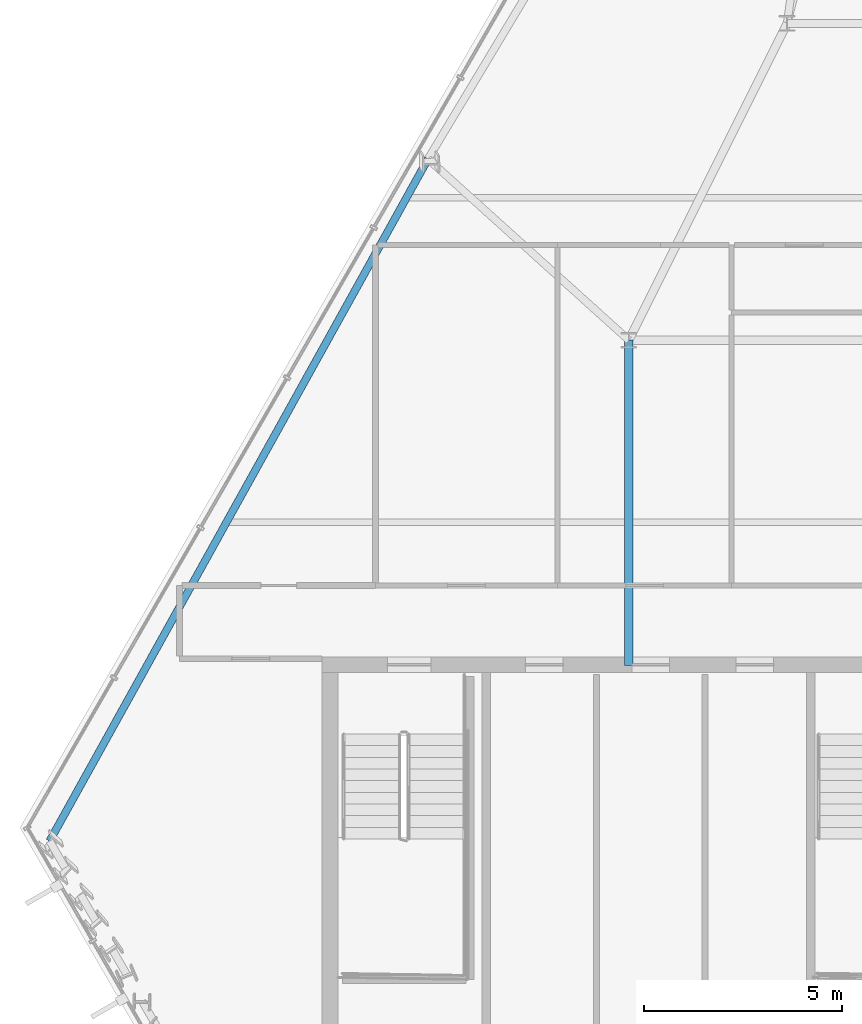
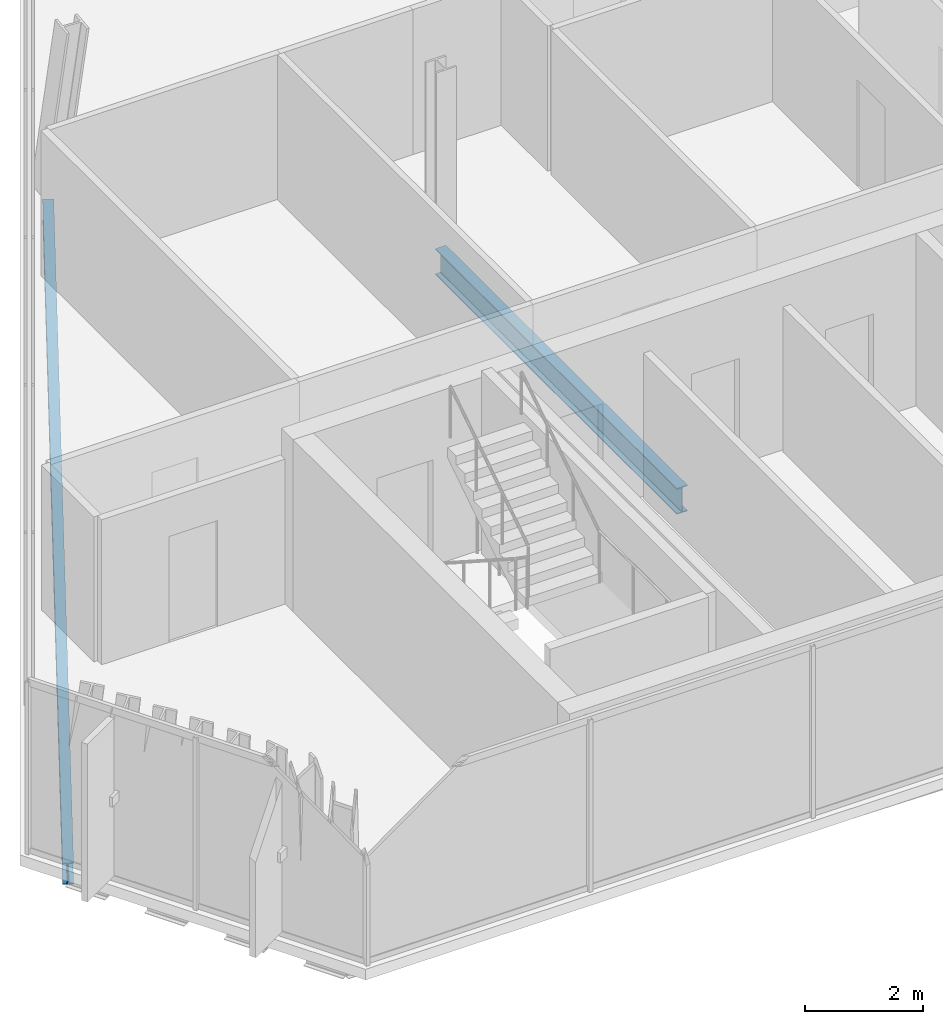
# One storey, part 5 of 29: 2 beams.
"""IFC4 building model written with IfcOpenShell, lengths in metres."""

from ifc_helpers import new_model, si_unit, direction, frame, origin, origin_2d, place, context, subcontext, project, spatial, i_section, extrude, material, material_profile, profile_set, type_object, element, save


model = new_model("IFC4")

# Units and contexts
model_context = context("Model", 3, precision=1e-05, world=origin(), true_north=direction((0.0, 1.0)))
body_context = subcontext(model_context, "Body", "Model", "MODEL_VIEW")
ifc_project = project(units=[si_unit("LENGTHUNIT", "METRE"), si_unit("AREAUNIT", "SQUARE_METRE"), si_unit("VOLUMEUNIT", "CUBIC_METRE"), si_unit("PLANEANGLEUNIT", "RADIAN"), si_unit("MASSUNIT", "GRAM", prefix="KILO")], contexts=[model_context])

# Site, building, storey
site_placement = place(None, origin())
site = spatial("IfcSite", under=ifc_project, at=site_placement, CompositionType="ELEMENT")
building_placement = place(site_placement, origin())
building = spatial("IfcBuilding", under=site, at=building_placement, Name="Ndaravel Arena Tower", CompositionType="ELEMENT")
storey_placement = place(building_placement, frame((0.0, 0.0, 248.39990234375)))
storey = spatial("IfcBuildingStorey", under=building, at=storey_placement, Name="L60", CompositionType="ELEMENT", Elevation=248.39990234375)

# Beams
ifc_material_1 = material(Name="Steel S355", Category="steel")
ifc_material_profile_1 = material_profile(ifc_material_1, i_section(OverallWidth=0.210693359375, OverallDepth=0.53955078125, WebThickness=0.01171875, FlangeThickness=0.018798828125, FilletRadius=0.0126953125, at=origin_2d()), Name="UB 533x210x109")
ifc_profile_set_1 = profile_set([ifc_material_profile_1], Name="Steel S355")
beam_type_1 = type_object("IfcBeamType", Name="BM-GIRD-UB533", PredefinedType="BEAM", material=ifc_profile_set_1)
beam_1_placement = place(storey_placement, frame((34.199951171875, 14.97998046875, -0.489501953125), z_axis=(0.0, 1.0, 0.0), x_axis=(-1.0, 0.0, 0.0)))
element("IfcBeam", 1, at=beam_1_placement, inside=storey, type_object=beam_type_1, Name="L60 Spine Link Girder SLG-01", PredefinedType="BEAM", context=body_context, shape_type="SweptSolid", body=[
    extrude(i_section(OverallWidth=0.210693359375, OverallDepth=0.53955078125, WebThickness=0.01171875, FlangeThickness=0.018798828125, FilletRadius=0.0126953125, at=origin_2d()), origin(), (0.0, 0.0, 1.0), 8.219970703125),
])
ifc_material_2 = material(Name="Steel S355", Category="steel")
ifc_material_profile_2 = material_profile(ifc_material_2, i_section(OverallWidth=0.18994140625, OverallDepth=0.449951171875, WebThickness=0.009521484375, FlangeThickness=0.0146484375, FilletRadius=0.02099609375, at=origin_2d()), Name="IPE 450")
ifc_profile_set_2 = profile_set([ifc_material_profile_2], Name="Steel S355")
beam_type_2 = type_object("IfcBeamType", Name="BM-SPAN-IPE450", PredefinedType="SPANDREL", material=ifc_profile_set_2)
beam_2_placement = place(storey_placement, frame((29.12744140625, 27.77587890625, -0.44482421875), z_axis=(-0.485083189334, -0.874468009378, 0.0), x_axis=(0.874468009378, -0.485083189334, 0.0)))
element("IfcBeam", 2, at=beam_2_placement, inside=storey, type_object=beam_type_2, Name="L60 Perimeter Spandrel Beam SP-19", PredefinedType="SPANDREL", context=body_context, shape_type="SweptSolid", body=[
    extrude(i_section(OverallWidth=0.18994140625, OverallDepth=0.449951171875, WebThickness=0.009521484375, FlangeThickness=0.0146484375, FilletRadius=0.02099609375, at=origin_2d()), origin(), (0.0, 0.0, 1.0), 19.705078125),
])

save(model, "model.ifc")
